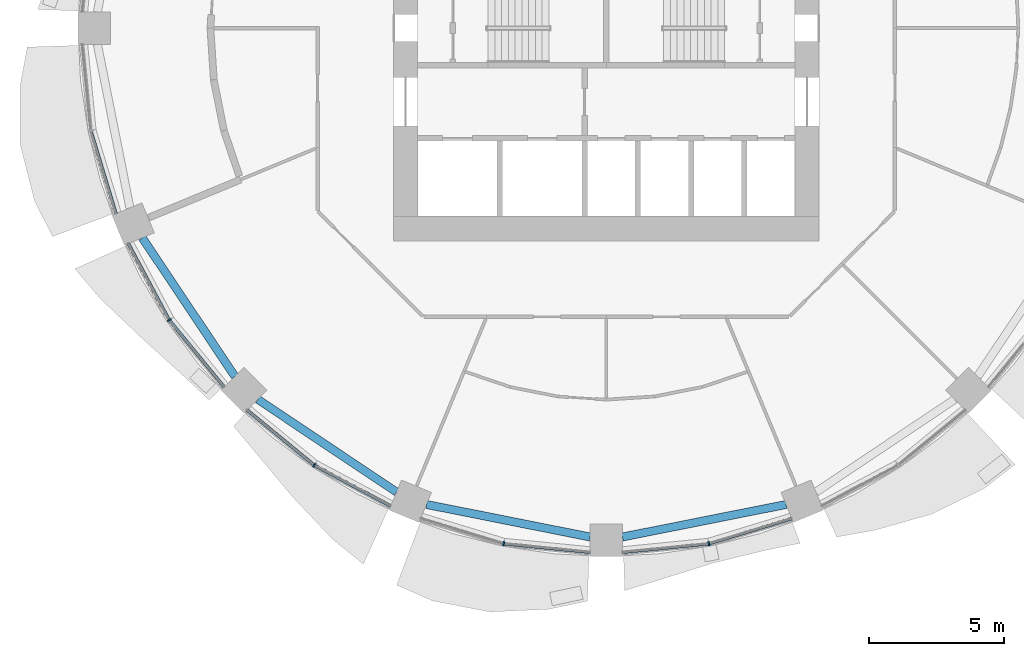
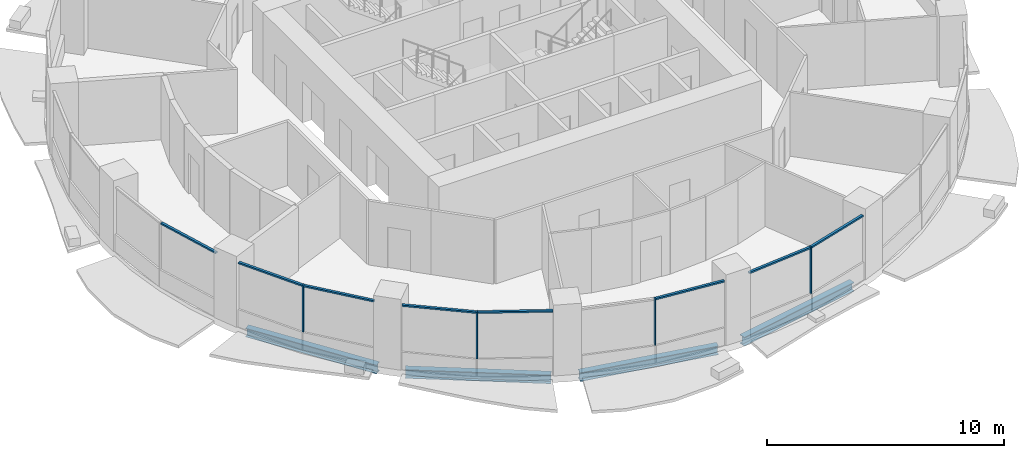
# One storey, part 2 of 15: 12 members, 4 beams, 5 elements without a shape of their own.
"""IFC4 building model written with IfcOpenShell, lengths in metres."""

from ifc_helpers import new_model, si_unit, direction, frame, origin, origin_2d, place, context, subcontext, project, spatial, rectangle, i_section, extrude, material, material_profile, profile_set, type_object, element, aggregate, save


model = new_model("IFC4")

# Units and contexts
model_context = context("Model", 3, precision=1e-05, world=origin(), true_north=direction((0.0, 1.0)))
body_context = subcontext(model_context, "Body", "Model", "MODEL_VIEW")
ifc_project = project(units=[si_unit("LENGTHUNIT", "METRE"), si_unit("AREAUNIT", "SQUARE_METRE"), si_unit("VOLUMEUNIT", "CUBIC_METRE"), si_unit("PLANEANGLEUNIT", "RADIAN"), si_unit("MASSUNIT", "GRAM", prefix="KILO")], contexts=[model_context])

# Site, building, storey
site_placement = place(None, origin())
site = spatial("IfcSite", under=ifc_project, at=site_placement, CompositionType="ELEMENT")
building_placement = place(site_placement, origin())
building = spatial("IfcBuilding", under=site, at=building_placement, Name="Polderwave Tower", CompositionType="ELEMENT")
storey_placement = place(building_placement, frame((0.0, 0.0, 62.699951171875)))
storey = spatial("IfcBuildingStorey", under=building, at=storey_placement, Name="L16", CompositionType="ELEMENT", Elevation=62.699951171875)

# Curtain wall, member
ifc_material_1 = material(Name="Aluminium 6063-T6 and glass", Category="aluminium")
curtain_wall_type = type_object("IfcCurtainWallType", Name="Growing floor ribbon glazing wall", PredefinedType="NOTDEFINED", material=ifc_material_1)
curtain_wall_1_placement = place(storey_placement, origin())
curtain_wall_1 = element("IfcCurtainWall", 1, at=curtain_wall_1_placement, inside=storey, type_object=curtain_wall_type, Name="CW2 L16 09", PredefinedType="NOTDEFINED")
ifc_material_2 = material(Name="Aluminium 6063-T6", Category="aluminium")
ifc_material_profile_1 = material_profile(ifc_material_2, rectangle(XDim=0.14990234375, YDim=0.06005859375, at=origin_2d()), Name="AL 60x150")
ifc_profile_set_1 = profile_set([ifc_material_profile_1], Name="Aluminium 6063-T6")
member_type_1 = type_object("IfcMemberType", Name="Growing floor ribbon glazing mullion 60x150", PredefinedType="MULLION", material=ifc_profile_set_1)
member_1_placement = place(storey_placement, frame((-16.1640625, -10.800048828125, 0.900146484375), z_axis=(0.0, 0.0, 1.0), x_axis=(0.831498700752, 0.555526696611, 0.0)))
member_1 = element("IfcMember", 2, at=member_1_placement, type_object=member_type_1, Name="CW2 mullion 1", PredefinedType="MULLION", context=body_context, shape_type="SweptSolid", body=[
    extrude(rectangle(XDim=0.14990234375, YDim=0.06005859375, at=origin_2d()), origin(), (0.0, 0.0, 1.0), 2.39990234375),
])

curtain_wall_2_placement = place(storey_placement, origin())
curtain_wall_2 = element("IfcCurtainWall", 3, at=curtain_wall_2_placement, inside=storey, type_object=curtain_wall_type, Name="CW2 L16 10", PredefinedType="NOTDEFINED")
member_2_placement = place(storey_placement, frame((-10.800048828125, -16.1640625, 0.900146484375), z_axis=(0.0, 0.0, 1.0), x_axis=(0.555526696611, 0.831498700752, 0.0)))
member_2 = element("IfcMember", 4, at=member_2_placement, type_object=member_type_1, Name="CW2 mullion 1", PredefinedType="MULLION", context=body_context, shape_type="SweptSolid", body=[
    extrude(rectangle(XDim=0.14990234375, YDim=0.06005859375, at=origin_2d()), origin(), (0.0, 0.0, 1.0), 2.39990234375),
])

curtain_wall_3_placement = place(storey_placement, origin())
curtain_wall_3 = element("IfcCurtainWall", 5, at=curtain_wall_3_placement, inside=storey, type_object=curtain_wall_type, Name="CW2 L16 11", PredefinedType="NOTDEFINED")
member_3_placement = place(storey_placement, frame((-3.79296875, -19.06591796875, 0.900146484375), z_axis=(0.0, 0.0, 1.0), x_axis=(0.195172487407, 0.980768933113, 0.0)))
member_3 = element("IfcMember", 6, at=member_3_placement, type_object=member_type_1, Name="CW2 mullion 1", PredefinedType="MULLION", context=body_context, shape_type="SweptSolid", body=[
    extrude(rectangle(XDim=0.14990234375, YDim=0.06005859375, at=origin_2d()), origin(), (0.0, 0.0, 1.0), 2.39990234375),
])

curtain_wall_4_placement = place(storey_placement, origin())
curtain_wall_4 = element("IfcCurtainWall", 7, at=curtain_wall_4_placement, inside=storey, type_object=curtain_wall_type, Name="CW2 L16 12", PredefinedType="NOTDEFINED")
member_4_placement = place(storey_placement, frame((3.79296875, -19.06591796875, 0.900146484375), z_axis=(0.0, 0.0, 1.0), x_axis=(-0.195172487407, 0.980768933113, 0.0)))
member_4 = element("IfcMember", 8, at=member_4_placement, type_object=member_type_1, Name="CW2 mullion 1", PredefinedType="MULLION", context=body_context, shape_type="SweptSolid", body=[
    extrude(rectangle(XDim=0.14990234375, YDim=0.06005859375, at=origin_2d()), origin(), (0.0, 0.0, 1.0), 2.39990234375),
])

curtain_wall_5_placement = place(storey_placement, origin())
curtain_wall_5 = element("IfcCurtainWall", 9, at=curtain_wall_5_placement, inside=storey, type_object=curtain_wall_type, Name="CW2 L16 08", PredefinedType="NOTDEFINED")
ifc_material_profile_2 = material_profile(ifc_material_2, rectangle(XDim=0.1201171875, YDim=0.080078125, at=origin_2d()), Name="AL 80x120")
ifc_profile_set_2 = profile_set([ifc_material_profile_2], Name="Aluminium 6063-T6")
member_type_2 = type_object("IfcMemberType", Name="Growing floor ribbon glazing transom 80x120", PredefinedType="USERDEFINED", material=ifc_profile_set_2)
member_5_placement = place(storey_placement, frame((-19.057373046875, -3.82177734375, 3.260009765625), z_axis=(0.290314495574, -0.956931289937, 0.0), x_axis=(0.956931289937, 0.290314495574, 0.0)))
member_5 = element("IfcMember", 10, at=member_5_placement, type_object=member_type_2, Name="CW2 transom 2", ObjectType="TRANSOM", PredefinedType="USERDEFINED", context=body_context, shape_type="SweptSolid", body=[
    extrude(rectangle(XDim=0.1201171875, YDim=0.080078125, at=origin_2d()), origin(), (0.0, 0.0, 1.0), 3.177001953125),
])
aggregate(curtain_wall_5, [member_5])

# Member
member_6_placement = place(storey_placement, frame((-17.676025390625, -7.970947265625, 3.260009765625), z_axis=(0.471417452258, -0.881910191406, 0.0), x_axis=(0.881910191406, 0.471417452258, 0.0)))
member_6 = element("IfcMember", 11, at=member_6_placement, type_object=member_type_2, Name="CW2 transom 1", ObjectType="TRANSOM", PredefinedType="USERDEFINED", context=body_context, shape_type="SweptSolid", body=[
    extrude(rectangle(XDim=0.1201171875, YDim=0.080078125, at=origin_2d()), origin(), (0.0, 0.0, 1.0), 3.177734375),
])

member_7_placement = place(storey_placement, frame((-16.14501953125, -10.8232421875, 3.260009765625), z_axis=(0.634370760679, -0.77302893736, 0.0), x_axis=(0.77302893736, 0.634370760679, 0.0)))
member_7 = element("IfcMember", 12, at=member_7_placement, type_object=member_type_2, Name="CW2 transom 2", ObjectType="TRANSOM", PredefinedType="USERDEFINED", context=body_context, shape_type="SweptSolid", body=[
    extrude(rectangle(XDim=0.1201171875, YDim=0.080078125, at=origin_2d()), origin(), (0.0, 0.0, 1.0), 3.17822265625),
])

aggregate(curtain_wall_1, [member_1, member_6, member_7])

member_8_placement = place(storey_placement, frame((-13.280029296875, -14.12890625, 3.260009765625), z_axis=(0.77302893736, -0.634370760679, 0.0), x_axis=(0.634370760679, 0.77302893736, 0.0)))
member_8 = element("IfcMember", 13, at=member_8_placement, type_object=member_type_2, Name="CW2 transom 1", ObjectType="TRANSOM", PredefinedType="USERDEFINED", context=body_context, shape_type="SweptSolid", body=[
    extrude(rectangle(XDim=0.1201171875, YDim=0.080078125, at=origin_2d()), origin(), (0.0, 0.0, 1.0), 3.17822265625),
])

member_9_placement = place(storey_placement, frame((-10.7734375, -16.177978515625, 3.260009765625), z_axis=(0.881910191406, -0.471417452258, 0.0), x_axis=(0.471417452258, 0.881910191406, 0.0)))
member_9 = element("IfcMember", 14, at=member_9_placement, type_object=member_type_2, Name="CW2 transom 2", ObjectType="TRANSOM", PredefinedType="USERDEFINED", context=body_context, shape_type="SweptSolid", body=[
    extrude(rectangle(XDim=0.1201171875, YDim=0.080078125, at=origin_2d()), origin(), (0.0, 0.0, 1.0), 3.177734375),
])

aggregate(curtain_wall_2, [member_2, member_8, member_9])

member_10_placement = place(storey_placement, frame((-3.76318359375, -19.06884765625, 3.260009765625), z_axis=(0.995162633096, -0.098241201585, 0.0), x_axis=(0.098241201585, 0.995162633096, 0.0)))
member_10 = element("IfcMember", 15, at=member_10_placement, type_object=member_type_2, Name="CW2 transom 2", ObjectType="TRANSOM", PredefinedType="USERDEFINED", context=body_context, shape_type="SweptSolid", body=[
    extrude(rectangle(XDim=0.1201171875, YDim=0.080078125, at=origin_2d()), origin(), (0.0, 0.0, 1.0), 3.178466796875),
])

aggregate(curtain_wall_3, [member_3, member_10])

member_11_placement = place(storey_placement, frame((0.60009765625, -19.381103515625, 3.260009765625), z_axis=(0.995162633096, 0.098241201585, 0.0), x_axis=(-0.098241201585, 0.995162633096, 0.0)))
member_11 = element("IfcMember", 16, at=member_11_placement, type_object=member_type_2, Name="CW2 transom 1", ObjectType="TRANSOM", PredefinedType="USERDEFINED", context=body_context, shape_type="SweptSolid", body=[
    extrude(rectangle(XDim=0.1201171875, YDim=0.080078125, at=origin_2d()), origin(), (0.0, 0.0, 1.0), 3.178466796875),
])

member_12_placement = place(storey_placement, frame((3.82177734375, -19.057373046875, 3.260009765625), z_axis=(0.956931289937, 0.290314495574, 0.0), x_axis=(-0.290314495574, 0.956931289937, 0.0)))
member_12 = element("IfcMember", 17, at=member_12_placement, type_object=member_type_2, Name="CW2 transom 2", ObjectType="TRANSOM", PredefinedType="USERDEFINED", context=body_context, shape_type="SweptSolid", body=[
    extrude(rectangle(XDim=0.1201171875, YDim=0.080078125, at=origin_2d()), origin(), (0.0, 0.0, 1.0), 3.177001953125),
])

aggregate(curtain_wall_4, [member_4, member_11, member_12])

# Beams
ifc_material_3 = material(Name="Steel S355", Category="steel")
ifc_material_profile_3 = material_profile(ifc_material_3, i_section(OverallWidth=0.300048828125, OverallDepth=0.449951171875, WebThickness=0.013916015625, FlangeThickness=0.02587890625, at=origin_2d()), Name="HE 450 B")
ifc_profile_set_3 = profile_set([ifc_material_profile_3], Name="Steel S355")
beam_type = type_object("IfcBeamType", Name="RING BEAM HE 450 B", PredefinedType="BEAM", material=ifc_profile_set_3)
for number, where, z_axis, x_axis, name in (
    (18, (-17.158447265625, -7.756591796875, -0.574951171875), (0.555567831177, -0.831471217158, 0.0), (0.831471217158, 0.555567831177, 0.0), "ST-RB-L16-09"),
    (19, (-12.884033203125, -13.732421875, -0.574951171875), (0.831471217158, -0.555567831177, 0.0), (0.555567831177, 0.831471217158, 0.0), "ST-RB-L16-10"),
):
    element("IfcBeam", number, at=place(storey_placement, frame(where, z_axis=z_axis, x_axis=x_axis)), inside=storey, type_object=beam_type, Name=name, PredefinedType="BEAM", context=body_context, shape_type="SweptSolid", body=[
        extrude(i_section(OverallWidth=0.300048828125, OverallDepth=0.449951171875, WebThickness=0.013916015625, FlangeThickness=0.02587890625, at=origin_2d()), origin(), (0.0, 0.0, 1.0), 6.166748046875),
    ])
for number, where, z_axis, x_axis, name in (
    (20, (-6.64794921875, -17.61767578125, -0.574951171875), (0.980788743602, -0.195072910533, 0.0), (0.195072910533, 0.980788743602, 0.0), "ST-RB-L16-11"),
    (21, (0.60009765625, -18.820556640625, -0.574951171875), (0.980788743602, 0.195072910533, 0.0), (-0.195072910533, 0.980788743602, 0.0), "ST-RB-L16-12"),
):
    element("IfcBeam", number, at=place(storey_placement, frame(where, z_axis=z_axis, x_axis=x_axis)), inside=storey, type_object=beam_type, Name=name, PredefinedType="BEAM", context=body_context, shape_type="SweptSolid", body=[
        extrude(i_section(OverallWidth=0.300048828125, OverallDepth=0.449951171875, WebThickness=0.013916015625, FlangeThickness=0.02587890625, at=origin_2d()), origin(), (0.0, 0.0, 1.0), 6.166259765625),
    ])

save(model, "model.ifc")
